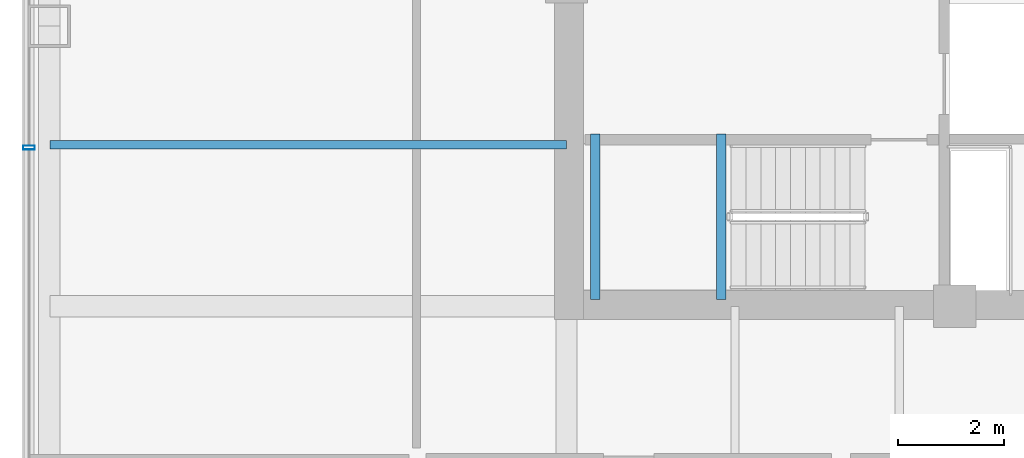
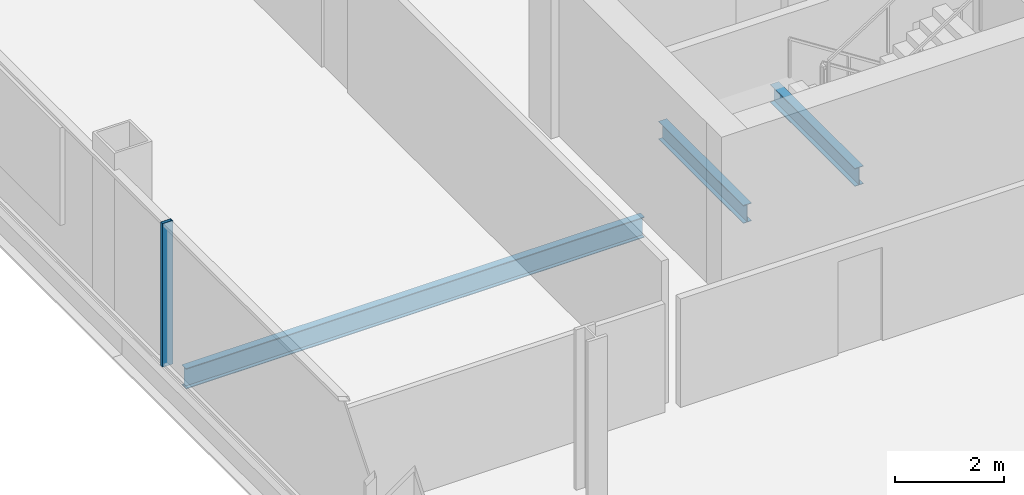
# One storey, part 4 of 24: 3 beams, 1 member, 1 element without a shape of its own.
"""IFC4 building model written with IfcOpenShell, lengths in metres."""

from ifc_helpers import new_model, si_unit, direction, frame, origin, origin_2d, place, context, subcontext, project, spatial, hollow_rectangle, i_section, extrude, material, layer, layer_set, material_profile, profile_set, type_object, element, aggregate, save


model = new_model("IFC4")

# Units and contexts
model_context = context("Model", 3, precision=1e-05, world=origin(), true_north=direction((0.0, 1.0)))
body_context = subcontext(model_context, "Body", "Model", "MODEL_VIEW")
ifc_project = project(units=[si_unit("LENGTHUNIT", "METRE"), si_unit("AREAUNIT", "SQUARE_METRE"), si_unit("VOLUMEUNIT", "CUBIC_METRE"), si_unit("PLANEANGLEUNIT", "RADIAN"), si_unit("MASSUNIT", "GRAM", prefix="KILO")], contexts=[model_context])

# Site, building, storey
site_placement = place(None, origin())
site = spatial("IfcSite", under=ifc_project, at=site_placement, CompositionType="ELEMENT")
building_placement = place(site_placement, origin())
building = spatial("IfcBuilding", under=site, at=building_placement, Name="Qhalaya Broadcast Tower", CompositionType="ELEMENT")
storey_placement = place(building_placement, frame((0.0, 0.0, 61.5)))
storey = spatial("IfcBuildingStorey", under=building, at=storey_placement, Name="L17", CompositionType="ELEMENT", Elevation=61.5)

# Beam
ifc_material_1 = material(Name="Structural Steel ASTM A992 Grade 50", Category="steel")
ifc_material_profile_1 = material_profile(ifc_material_1, i_section(OverallWidth=0.154052734375, OverallDepth=0.458984375, WebThickness=0.009033203125, FlangeThickness=0.015380859375, at=origin_2d()), Name="W18X46")
ifc_profile_set_1 = profile_set([ifc_material_profile_1], Name="Structural Steel ASTM A992 Grade 50")
beam_type_1 = type_object("IfcBeamType", Name="Composite Floor Joist J04", PredefinedType="JOIST", material=ifc_profile_set_1)
beam_placement = place(storey_placement, frame((-19.110107421875, -5.699951171875, -0.449462890625), z_axis=(1.0, 0.0, 0.0), x_axis=(0.0, 1.0, 0.0)))
element("IfcBeam", 1, at=beam_placement, inside=storey, type_object=beam_type_1, Name="L17 J04 L17-JWE3W-1", PredefinedType="JOIST", context=body_context, shape_type="SweptSolid", body=[
    extrude(i_section(OverallWidth=0.154052734375, OverallDepth=0.458984375, WebThickness=0.009033203125, FlangeThickness=0.015380859375, at=origin_2d()), origin(), (0.0, 0.0, 1.0), 9.735107421875),
])

# Curtain wall, member
ifc_material_2 = material(Name="Solar-Control Low-E Triple Glazing", Category="glass")
ifc_layer = layer(ifc_material_2, 0.219970703125, Name="Solar-Control Low-E Triple Glazing")
ifc_layer_set = layer_set([ifc_layer], Name="Solar-Control Low-E Triple Glazing")
curtain_wall_type = type_object("IfcCurtainWallType", Name="Recessed Sky-Garden Neck Ribbon Curtain Wall CW-05", PredefinedType="NOTDEFINED", material=ifc_layer_set)
curtain_wall_placement = place(storey_placement, origin())
curtain_wall = element("IfcCurtainWall", 2, at=curtain_wall_placement, inside=storey, type_object=curtain_wall_type, Name="L17 Unitised Curtain Wall L17-CW-W", PredefinedType="NOTDEFINED")
ifc_material_3 = material(Name="Anodised Aluminium 6063-T6", Category="aluminium")
ifc_material_profile_2 = material_profile(ifc_material_3, hollow_rectangle(XDim=0.074951171875, YDim=0.219970703125, WallThickness=0.00390625, at=origin_2d()), Name="ALU-MUL 75x220x4")
ifc_profile_set_2 = profile_set([ifc_material_profile_2], Name="Anodised Aluminium 6063-T6")
member_type = type_object("IfcMemberType", Name="Unitised Curtain-Wall Mullion M01", PredefinedType="MULLION", material=ifc_profile_set_2)
member_placement = place(storey_placement, frame((-19.510009765625, -5.7548828125, 0.0), z_axis=(0.0, 0.0, 1.0), x_axis=(0.0, -1.0, 0.0)))
member = element("IfcMember", 3, at=member_placement, type_object=member_type, Name="CW-05 mullion 4", PredefinedType="MULLION", context=body_context, shape_type="SweptSolid", body=[
    extrude(hollow_rectangle(XDim=0.074951171875, YDim=0.219970703125, WallThickness=0.00390625, at=origin_2d()), origin(), (0.0, 0.0, 1.0), 3.219970703125),
])
aggregate(curtain_wall, [member])

# Beams
ifc_material_profile_3 = material_profile(ifc_material_1, i_section(OverallWidth=0.177978515625, OverallDepth=0.406005859375, WebThickness=0.0078125, FlangeThickness=0.0126953125, at=origin_2d()), Name="W16X40")
ifc_profile_set_3 = profile_set([ifc_material_profile_3], Name="Structural Steel ASTM A992 Grade 50")
beam_type_2 = type_object("IfcBeamType", Name="Upper Perimeter Spandrel Beam SP2", PredefinedType="SPANDREL", material=ifc_profile_set_3)
for number, where, z_axis, x_axis, name in (
    (4, (-8.830078125, -8.6201171875, 1.39697265625), (0.0, 1.0, 0.0), (-1.0, 0.0, 0.0), "L17 ST-2 Half-Landing Bearer Beam 1"),
    (5, (-6.455078125, -8.6201171875, 1.39697265625), (0.0, 1.0, 0.0), (-1.0, 0.0, 0.0), "L17 ST-2 Half-Landing Bearer Beam 2"),
):
    element("IfcBeam", number, at=place(storey_placement, frame(where, z_axis=z_axis, x_axis=x_axis)), inside=storey, type_object=beam_type_2, Name=name, PredefinedType="SPANDREL", context=body_context, shape_type="SweptSolid", body=[
        extrude(i_section(OverallWidth=0.177978515625, OverallDepth=0.406005859375, WebThickness=0.0078125, FlangeThickness=0.0126953125, at=origin_2d()), origin(), (0.0, 0.0, 1.0), 3.1201171875),
    ])

save(model, "model.ifc")
